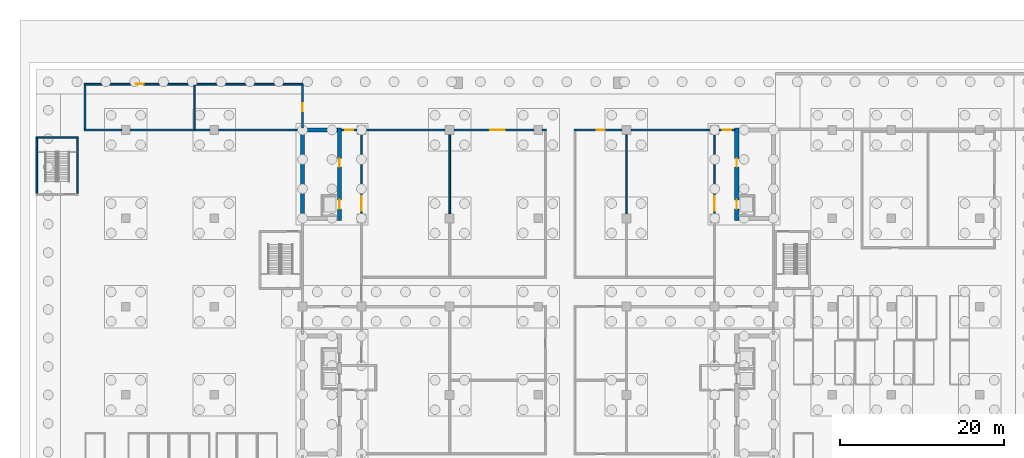
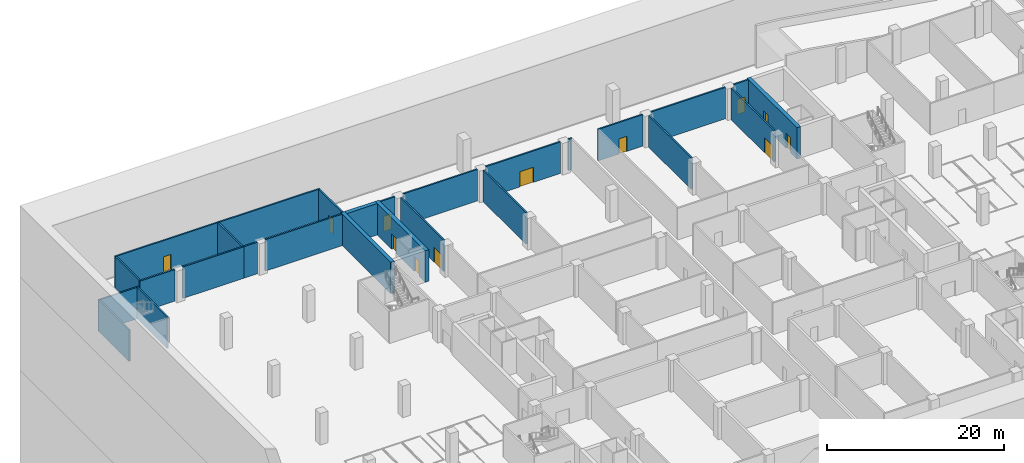
# One storey, part 11 of 18: 27 walls, 12 doors, 12 openings.
"""IFC4 building model written with IfcOpenShell, lengths in metres."""

from ifc_helpers import new_model, si_unit, direction, frame, frame_2d, origin, place, context, subcontext, project, spatial, rectangle, extrude, material, layer, layer_set, type_object, element, fill, save


model = new_model("IFC4")

# Units and contexts
model_context = context("Model", 3, precision=1e-05, world=origin(), true_north=direction((0.0, 1.0)))
body_context = subcontext(model_context, "Body", "Model", "MODEL_VIEW")
ifc_project = project(units=[si_unit("LENGTHUNIT", "METRE"), si_unit("AREAUNIT", "SQUARE_METRE"), si_unit("VOLUMEUNIT", "CUBIC_METRE"), si_unit("PLANEANGLEUNIT", "RADIAN"), si_unit("MASSUNIT", "GRAM", prefix="KILO")], contexts=[model_context])

# Site, building, storey
site_placement = place(None, origin())
site = spatial("IfcSite", under=ifc_project, at=site_placement, CompositionType="ELEMENT")
building_placement = place(site_placement, origin())
building = spatial("IfcBuilding", under=site, at=building_placement, Name="Basin Gate Institute", CompositionType="ELEMENT")
storey_placement = place(building_placement, frame((0.0, 0.0, -9.60009765625)))
storey = spatial("IfcBuildingStorey", under=building, at=storey_placement, Name="B2", CompositionType="ELEMENT", Elevation=-9.60009765625)

# Wall, opening, door
ifc_material_1 = material(Name="Concrete 50 MPa", Category="concrete")
ifc_layer_1 = layer(ifc_material_1, 0.199951171875)
ifc_layer_set_1 = layer_set([ifc_layer_1], Name="Concrete 50 MPa")
wall_type_1 = type_object("IfcWallType", Name="Basement bearing wall W66 REI 180", PredefinedType="SOLIDWALL", material=ifc_layer_set_1)
wall_1_placement = place(storey_placement, frame((61.199951171875, 100.14990234375, 0.0), z_axis=(0.0, 0.0, 1.0), x_axis=(0.0, 1.0, 0.0)))
wall_1 = element("IfcWall", 1, at=wall_1_placement, inside=storey, type_object=wall_type_1, material=ifc_layer_set_1, Name="Data and Telecom Room bearing wall", PredefinedType="SOLIDWALL", context=body_context, shape_type="SweptSolid", body=[
    extrude(rectangle(XDim=5.25, YDim=0.199951171875, at=frame_2d((2.625, 0.0))), origin(), (0.0, 0.0, 1.0), 4.35009765625),
])
opening_1_placement = place(wall_1_placement, frame((2.050048828125, 0.0, 0.0)))
opening_1 = element("IfcOpeningElement", 2, at=opening_1_placement, cuts=wall_1, Name="Opening DB215", PredefinedType="OPENING", context=body_context, shape_type="SweptSolid", body=[
    extrude(rectangle(XDim=1.0, YDim=2.10009765625, at=frame_2d((0.5, 1.050048828125))), frame((0.0, 0.10986328125, 0.0), z_axis=(0.0, -1.0, 0.0), x_axis=(1.0, 0.0, 0.0)), (0.0, 0.0, 1.0), 0.219970703125),
])
ifc_material_2 = material(Name="Steel door set", Category="steel")
door_type_1 = type_object("IfcDoorType", Name="Fire door FD120 1000x2100", OperationType="NOTDEFINED", PredefinedType="DOOR", material=ifc_material_2)
door_1_placement = place(opening_1_placement, frame((1.0, 0.0, 0.0), z_axis=(0.0, 0.0, 1.0), x_axis=(-1.0, 0.0, 0.0)))
door_1 = element("IfcDoor", 3, at=door_1_placement, inside=storey, type_object=door_type_1, material=ifc_material_2, Name="Door DB215 Data and Telecom Room", OperationType="SINGLE_SWING_RIGHT", OverallHeight=2.10009765625, OverallWidth=1.0, PredefinedType="DOOR", context=body_context, shape_type="SweptSolid", body=[
    extrude(rectangle(XDim=1.0, YDim=2.10009765625, at=frame_2d((0.5, 1.050048828125))), frame((0.0, 0.02490234375, 0.0), z_axis=(0.0, -1.0, 0.0), x_axis=(1.0, 0.0, 0.0)), (0.0, 0.0, 1.0), 0.050048828125),
])
fill(opening_1, door_1)

# Walls
ifc_material_3 = material(Name="Blockwork", Category="masonry")
ifc_layer_2 = layer(ifc_material_3, 0.199951171875)
ifc_layer_set_2 = layer_set([ifc_layer_2], Name="Basement fire partition EI 120")
wall_type_2 = type_object("IfcWallType", Name="Basement fire partition EI 120", PredefinedType="PARTITIONING", material=ifc_layer_set_2)
wall_2_placement = place(storey_placement, frame((34.5, 99.89990234375, 0.0), z_axis=(0.0, 0.0, 1.0), x_axis=(1.0, 0.0, 0.0)))
element("IfcWall", 4, at=wall_2_placement, inside=storey, type_object=wall_type_2, material=ifc_layer_set_2, Name="Main Electrical Room fire-resisting wall", PredefinedType="PARTITIONING", context=body_context, shape_type="SweptSolid", body=[
    extrude(rectangle(XDim=4.574951171875, YDim=0.199951171875, at=frame_2d((2.28759765625, 0.0))), origin(), (0.0, 0.0, 1.0), 4.35009765625),
])
wall_3_placement = place(storey_placement, frame((40.125, 99.89990234375, 0.0), z_axis=(0.0, 0.0, 1.0), x_axis=(1.0, 0.0, 0.0)))
element("IfcWall", 5, at=wall_3_placement, inside=storey, type_object=wall_type_2, material=ifc_layer_set_2, Name="Main Electrical Room fire-resisting wall", PredefinedType="PARTITIONING", context=body_context, shape_type="SweptSolid", body=[
    extrude(rectangle(XDim=7.97509765625, YDim=0.199951171875, at=frame_2d((3.987548828125, 0.0))), origin(), (0.0, 0.0, 1.0), 4.35009765625),
])

# Wall, opening, door
wall_4_placement = place(storey_placement, frame((79.75, 99.89990234375, 0.0), z_axis=(0.0, 0.0, 1.0), x_axis=(1.0, 0.0, 0.0)))
wall_4 = element("IfcWall", 6, at=wall_4_placement, inside=storey, type_object=wall_type_2, material=ifc_layer_set_2, Name="Pure Water Plant fire-resisting wall", PredefinedType="PARTITIONING", context=body_context, shape_type="SweptSolid", body=[
    extrude(rectangle(XDim=9.72509765625, YDim=0.199951171875, at=frame_2d((4.862548828125, 0.0))), origin(), (0.0, 0.0, 1.0), 4.35009765625),
])
opening_2_placement = place(wall_4_placement, frame((4.39990234375, 0.0, 0.0)))
opening_2 = element("IfcOpeningElement", 7, at=opening_2_placement, cuts=wall_4, Name="Opening DB209", PredefinedType="OPENING", context=body_context, shape_type="SweptSolid", body=[
    extrude(rectangle(XDim=1.800048828125, YDim=2.10009765625, at=frame_2d((0.89990234375, 1.050048828125))), frame((0.0, 0.10986328125, 0.0), z_axis=(0.0, -1.0, 0.0), x_axis=(1.0, 0.0, 0.0)), (0.0, 0.0, 1.0), 0.219970703125),
])
ifc_material_4 = material(Name="Steel door set", Category="steel")
door_type_2 = type_object("IfcDoorType", Name="Double fire door FD120 1800x2100", OperationType="DOUBLE_DOOR_SINGLE_SWING", PredefinedType="DOOR", material=ifc_material_4)
door_2_placement = place(opening_2_placement, frame((1.800048828125, 0.0, 0.0), z_axis=(0.0, 0.0, 1.0), x_axis=(-1.0, 0.0, 0.0)))
door_2 = element("IfcDoor", 8, at=door_2_placement, inside=storey, type_object=door_type_2, material=ifc_material_4, Name="Door DB209 Pure Water Plant", OperationType="DOUBLE_DOOR_SINGLE_SWING", OverallHeight=2.10009765625, OverallWidth=1.800048828125, PredefinedType="DOOR", context=body_context, shape_type="SweptSolid", body=[
    extrude(rectangle(XDim=1.800048828125, YDim=2.10009765625, at=frame_2d((0.89990234375, 1.050048828125))), frame((0.0, 0.02490234375, 0.0), z_axis=(0.0, -1.0, 0.0), x_axis=(1.0, 0.0, 0.0)), (0.0, 0.0, 1.0), 0.050048828125),
])
fill(opening_2, door_2)

# Wall
wall_5_placement = place(storey_placement, frame((90.52490234375, 99.89990234375, 0.0), z_axis=(0.0, 0.0, 1.0), x_axis=(1.0, 0.0, 0.0)))
element("IfcWall", 9, at=wall_5_placement, inside=storey, type_object=wall_type_2, material=ifc_layer_set_2, Name="Pure Water Plant fire-resisting wall", PredefinedType="PARTITIONING", context=body_context, shape_type="SweptSolid", body=[
    extrude(rectangle(XDim=0.47509765625, YDim=0.199951171875, at=frame_2d((0.237548828125, 0.0))), origin(), (0.0, 0.0, 1.0), 4.35009765625),
])

# Wall, opening, door
wall_6_placement = place(storey_placement, frame((94.39990234375, 99.89990234375, 0.0), z_axis=(0.0, 0.0, 1.0), x_axis=(1.0, 0.0, 0.0)))
wall_6 = element("IfcWall", 10, at=wall_6_placement, inside=storey, type_object=wall_type_2, material=ifc_layer_set_2, Name="Liquid Nitrogen Plant fire-resisting wall", PredefinedType="PARTITIONING", context=body_context, shape_type="SweptSolid", body=[
    extrude(rectangle(XDim=5.85009765625, YDim=0.199951171875, at=frame_2d((2.925048828125, 0.0))), origin(), (0.0, 0.0, 1.0), 4.35009765625),
])
opening_3_placement = place(wall_6_placement, frame((2.75, 0.0, 0.0)))
opening_3 = element("IfcOpeningElement", 11, at=opening_3_placement, cuts=wall_6, Name="Opening DB210", PredefinedType="OPENING", context=body_context, shape_type="SweptSolid", body=[
    extrude(rectangle(XDim=1.0, YDim=2.10009765625, at=frame_2d((0.5, 1.050048828125))), frame((0.0, 0.10986328125, 0.0), z_axis=(0.0, -1.0, 0.0), x_axis=(1.0, 0.0, 0.0)), (0.0, 0.0, 1.0), 0.219970703125),
])
door_3_placement = place(opening_3_placement, origin())
door_3 = element("IfcDoor", 12, at=door_3_placement, inside=storey, type_object=door_type_1, material=ifc_material_2, Name="Door DB210 Liquid Nitrogen Plant", OperationType="SINGLE_SWING_RIGHT", OverallHeight=2.10009765625, OverallWidth=1.0, PredefinedType="DOOR", context=body_context, shape_type="SweptSolid", body=[
    extrude(rectangle(XDim=1.0, YDim=2.10009765625, at=frame_2d((0.5, 1.050048828125))), frame((0.0, 0.02490234375, 0.0), z_axis=(0.0, -1.0, 0.0), x_axis=(1.0, 0.0, 0.0)), (0.0, 0.0, 1.0), 0.050048828125),
])
fill(opening_3, door_3)

# Wall
wall_7_placement = place(storey_placement, frame((101.35009765625, 99.89990234375, 0.0), z_axis=(0.0, 0.0, 1.0), x_axis=(1.0, 0.0, 0.0)))
element("IfcWall", 13, at=wall_7_placement, inside=storey, type_object=wall_type_2, material=ifc_layer_set_2, Name="Archive B2 fire-resisting wall", PredefinedType="PARTITIONING", context=body_context, shape_type="SweptSolid", body=[
    extrude(rectangle(XDim=9.699951171875, YDim=0.199951171875, at=frame_2d((4.85009765625, 0.0))), origin(), (0.0, 0.0, 1.0), 4.35009765625),
])

# Wall, opening, door
wall_8_placement = place(storey_placement, frame((34.5, 105.5, 0.0), z_axis=(0.0, 0.0, 1.0), x_axis=(1.0, 0.0, 0.0)))
wall_8 = element("IfcWall", 14, at=wall_8_placement, inside=storey, type_object=wall_type_2, material=ifc_layer_set_2, Name="Main Electrical Room fire-resisting wall", PredefinedType="PARTITIONING", context=body_context, shape_type="SweptSolid", body=[
    extrude(rectangle(XDim=13.60009765625, YDim=0.199951171875, at=frame_2d((6.800048828125, 0.0))), origin(), (0.0, 0.0, 1.0), 4.35009765625),
])
opening_4_placement = place(wall_8_placement, frame((6.300048828125, 0.0, 0.0)))
opening_4 = element("IfcOpeningElement", 15, at=opening_4_placement, cuts=wall_8, Name="Opening DB214", PredefinedType="OPENING", context=body_context, shape_type="SweptSolid", body=[
    extrude(rectangle(XDim=1.0, YDim=2.10009765625, at=frame_2d((0.5, 1.050048828125))), frame((0.0, 0.10986328125, 0.0), z_axis=(0.0, -1.0, 0.0), x_axis=(1.0, 0.0, 0.0)), (0.0, 0.0, 1.0), 0.219970703125),
])
door_4_placement = place(opening_4_placement, origin())
door_4 = element("IfcDoor", 16, at=door_4_placement, inside=storey, type_object=door_type_1, material=ifc_material_2, Name="Door DB214 Main Electrical Room", OperationType="SINGLE_SWING_LEFT", OverallHeight=2.10009765625, OverallWidth=1.0, PredefinedType="DOOR", context=body_context, shape_type="SweptSolid", body=[
    extrude(rectangle(XDim=1.0, YDim=2.10009765625, at=frame_2d((0.5, 1.050048828125))), frame((0.0, 0.02490234375, 0.0), z_axis=(0.0, -1.0, 0.0), x_axis=(1.0, 0.0, 0.0)), (0.0, 0.0, 1.0), 0.050048828125),
])
fill(opening_4, door_4)

# Walls
for number, where, z_axis, x_axis, name in (
    (17, (34.60009765625, 100.0, 0.0), (0.0, 0.0, 1.0), (0.0, 1.0, 0.0), "Main Electrical Room fire-resisting wall"),
    (18, (48.0, 100.0, 0.0), (0.0, 0.0, 1.0), (0.0, 1.0, 0.0), "Main Electrical Room fire-resisting wall"),
):
    element("IfcWall", number, at=place(storey_placement, frame(where, z_axis=z_axis, x_axis=x_axis)), inside=storey, type_object=wall_type_2, material=ifc_layer_set_2, Name=name, PredefinedType="PARTITIONING", context=body_context, shape_type="SweptSolid", body=[
        extrude(rectangle(XDim=5.39990234375, YDim=0.199951171875, at=frame_2d((2.699951171875, 0.0))), origin(), (0.0, 0.0, 1.0), 4.35009765625),
    ])
for number, where, z_axis, x_axis, name in (
    (19, (79.199951171875, 89.64990234375, 0.0), (0.0, 0.0, 1.0), (0.0, 1.0, 0.0), "Pure Water Plant fire-resisting wall"),
    (20, (100.800048828125, 89.64990234375, 0.0), (0.0, 0.0, 1.0), (0.0, 1.0, 0.0), "Liquid Nitrogen Plant fire-resisting wall"),
):
    element("IfcWall", number, at=place(storey_placement, frame(where, z_axis=z_axis, x_axis=x_axis)), inside=storey, type_object=wall_type_2, material=ifc_layer_set_2, Name=name, PredefinedType="PARTITIONING", context=body_context, shape_type="SweptSolid", body=[
        extrude(rectangle(XDim=9.7001953125, YDim=0.199951171875, at=frame_2d((4.85009765625, 0.0))), origin(), (0.0, 0.0, 1.0), 4.35009765625),
    ])

# Wall, opening, door
wall_9_placement = place(storey_placement, frame((111.60009765625, 89.64990234375, 0.0), z_axis=(0.0, 0.0, 1.0), x_axis=(0.0, 1.0, 0.0)))
wall_9 = element("IfcWall", 21, at=wall_9_placement, inside=storey, type_object=wall_type_2, material=ifc_layer_set_2, Name="Archive B2 fire-resisting wall", PredefinedType="PARTITIONING", context=body_context, shape_type="SweptSolid", body=[
    extrude(rectangle(XDim=9.7001953125, YDim=0.199951171875, at=frame_2d((4.85009765625, 0.0))), origin(), (0.0, 0.0, 1.0), 4.35009765625),
])
opening_5_placement = place(wall_9_placement, frame((0.35009765625, 0.0, 0.0)))
opening_5 = element("IfcOpeningElement", 22, at=opening_5_placement, cuts=wall_9, Name="Opening DB221", PredefinedType="OPENING", context=body_context, shape_type="SweptSolid", body=[
    extrude(rectangle(XDim=1.800048828125, YDim=2.10009765625, at=frame_2d((0.89990234375, 1.050048828125))), frame((0.0, 0.10986328125, 0.0), z_axis=(0.0, -1.0, 0.0), x_axis=(1.0, 0.0, 0.0)), (0.0, 0.0, 1.0), 0.219970703125),
])
door_5_placement = place(opening_5_placement, origin())
door_5 = element("IfcDoor", 23, at=door_5_placement, inside=storey, type_object=door_type_2, material=ifc_material_4, Name="Door DB221 Archive B2", OperationType="DOUBLE_DOOR_SINGLE_SWING", OverallHeight=2.10009765625, OverallWidth=1.800048828125, PredefinedType="DOOR", context=body_context, shape_type="SweptSolid", body=[
    extrude(rectangle(XDim=1.800048828125, YDim=2.10009765625, at=frame_2d((0.89990234375, 1.050048828125))), frame((0.0, 0.02490234375, 0.0), z_axis=(0.0, -1.0, 0.0), x_axis=(1.0, 0.0, 0.0)), (0.0, 0.0, 1.0), 0.050048828125),
])
fill(opening_5, door_5)

# Walls
ifc_material_5 = material(Name="Blockwork", Category="masonry")
ifc_layer_3 = layer(ifc_material_5, 0.199951171875)
ifc_layer_set_3 = layer_set([ifc_layer_3], Name="Basement fire partition EI 60")
wall_type_3 = type_object("IfcWallType", Name="Basement fire partition EI 60", PredefinedType="PARTITIONING", material=ifc_layer_set_3)
wall_10_placement = place(storey_placement, frame((48.10009765625, 99.89990234375, 0.0), z_axis=(0.0, 0.0, 1.0), x_axis=(1.0, 0.0, 0.0)))
element("IfcWall", 24, at=wall_10_placement, inside=storey, type_object=wall_type_3, material=ifc_layer_set_3, Name="Data and Telecom Room fire-resisting wall", PredefinedType="PARTITIONING", context=body_context, shape_type="SweptSolid", body=[
    extrude(rectangle(XDim=1.77490234375, YDim=0.199951171875, at=frame_2d((0.887451171875, 0.0))), origin(), (0.0, 0.0, 1.0), 4.35009765625),
])
wall_11_placement = place(storey_placement, frame((50.925048828125, 99.89990234375, 0.0), z_axis=(0.0, 0.0, 1.0), x_axis=(1.0, 0.0, 0.0)))
element("IfcWall", 25, at=wall_11_placement, inside=storey, type_object=wall_type_3, material=ifc_layer_set_3, Name="Data and Telecom Room fire-resisting wall", PredefinedType="PARTITIONING", context=body_context, shape_type="SweptSolid", body=[
    extrude(rectangle(XDim=10.02490234375, YDim=0.199951171875, at=frame_2d((5.012451171875, 0.0))), origin(), (0.0, 0.0, 1.0), 4.35009765625),
])

# Wall, opening, door
wall_12_placement = place(storey_placement, frame((65.949951171875, 99.89990234375, 0.0), z_axis=(0.0, 0.0, 1.0), x_axis=(1.0, 0.0, 0.0)))
wall_12 = element("IfcWall", 26, at=wall_12_placement, inside=storey, type_object=wall_type_3, material=ifc_layer_set_3, Name="Service Corridor B2 West fire-resisting wall", PredefinedType="PARTITIONING", context=body_context, shape_type="SweptSolid", body=[
    extrude(rectangle(XDim=1.900146484375, YDim=0.199951171875, at=frame_2d((0.9501953125, 0.0))), origin(), (0.0, 0.0, 1.0), 4.35009765625),
])
opening_6_placement = place(wall_12_placement, frame((0.449951171875, 0.0, 0.0)))
opening_6 = element("IfcOpeningElement", 27, at=opening_6_placement, cuts=wall_12, Name="Opening DB224", PredefinedType="OPENING", context=body_context, shape_type="SweptSolid", body=[
    extrude(rectangle(XDim=1.0, YDim=2.10009765625, at=frame_2d((0.5, 1.050048828125))), frame((0.0, 0.10986328125, 0.0), z_axis=(0.0, -1.0, 0.0), x_axis=(1.0, 0.0, 0.0)), (0.0, 0.0, 1.0), 0.219970703125),
])
ifc_material_6 = material(Name="Steel door set", Category="steel")
door_type_3 = type_object("IfcDoorType", Name="Fire door FD60 1000x2100", OperationType="NOTDEFINED", PredefinedType="DOOR", material=ifc_material_6)
door_6_placement = place(opening_6_placement, origin())
door_6 = element("IfcDoor", 28, at=door_6_placement, inside=storey, type_object=door_type_3, material=ifc_material_6, Name="Door DB224 Service Corridor B2 West", OperationType="SINGLE_SWING_LEFT", OverallHeight=2.10009765625, OverallWidth=1.0, PredefinedType="DOOR", context=body_context, shape_type="SweptSolid", body=[
    extrude(rectangle(XDim=1.0, YDim=2.10009765625, at=frame_2d((0.5, 1.050048828125))), frame((0.0, 0.02490234375, 0.0), z_axis=(0.0, -1.0, 0.0), x_axis=(1.0, 0.0, 0.0)), (0.0, 0.0, 1.0), 0.050048828125),
])
fill(opening_6, door_6)

# Wall
wall_13_placement = place(storey_placement, frame((68.949951171875, 99.89990234375, 0.0), z_axis=(0.0, 0.0, 1.0), x_axis=(1.0, 0.0, 0.0)))
element("IfcWall", 29, at=wall_13_placement, inside=storey, type_object=wall_type_3, material=ifc_layer_set_3, Name="Vibration-isolated Instrument Hall 3 fire-resisting wall", PredefinedType="PARTITIONING", context=body_context, shape_type="SweptSolid", body=[
    extrude(rectangle(XDim=9.699951171875, YDim=0.199951171875, at=frame_2d((4.85009765625, 0.0))), origin(), (0.0, 0.0, 1.0), 4.35009765625),
])

# Wall, opening, door
wall_14_placement = place(storey_placement, frame((112.14990234375, 99.89990234375, 0.0), z_axis=(0.0, 0.0, 1.0), x_axis=(1.0, 0.0, 0.0)))
wall_14 = element("IfcWall", 30, at=wall_14_placement, inside=storey, type_object=wall_type_3, material=ifc_layer_set_3, Name="Service Corridor B2 East fire-resisting wall", PredefinedType="PARTITIONING", context=body_context, shape_type="SweptSolid", body=[
    extrude(rectangle(XDim=1.900146484375, YDim=0.199951171875, at=frame_2d((0.9501953125, 0.0))), origin(), (0.0, 0.0, 1.0), 4.35009765625),
])
opening_7_placement = place(wall_14_placement, frame((0.449951171875, 0.0, 0.0)))
opening_7 = element("IfcOpeningElement", 31, at=opening_7_placement, cuts=wall_14, Name="Opening DB230", PredefinedType="OPENING", context=body_context, shape_type="SweptSolid", body=[
    extrude(rectangle(XDim=1.0, YDim=2.10009765625, at=frame_2d((0.5, 1.050048828125))), frame((0.0, 0.10986328125, 0.0), z_axis=(0.0, -1.0, 0.0), x_axis=(1.0, 0.0, 0.0)), (0.0, 0.0, 1.0), 0.219970703125),
])
door_7_placement = place(opening_7_placement, origin())
door_7 = element("IfcDoor", 32, at=door_7_placement, inside=storey, type_object=door_type_3, material=ifc_material_6, Name="Door DB230 Service Corridor B2 East", OperationType="SINGLE_SWING_RIGHT", OverallHeight=2.10009765625, OverallWidth=1.0, PredefinedType="DOOR", context=body_context, shape_type="SweptSolid", body=[
    extrude(rectangle(XDim=1.0, YDim=2.10009765625, at=frame_2d((0.5, 1.050048828125))), frame((0.0, 0.02490234375, 0.0), z_axis=(0.0, -1.0, 0.0), x_axis=(1.0, 0.0, 0.0)), (0.0, 0.0, 1.0), 0.050048828125),
])
fill(opening_7, door_7)

# Wall
wall_15_placement = place(storey_placement, frame((48.10009765625, 105.5, 0.0), z_axis=(0.0, 0.0, 1.0), x_axis=(1.0, 0.0, 0.0)))
element("IfcWall", 33, at=wall_15_placement, inside=storey, type_object=wall_type_3, material=ifc_layer_set_3, Name="Data and Telecom Room fire-resisting wall", PredefinedType="PARTITIONING", context=body_context, shape_type="SweptSolid", body=[
    extrude(rectangle(XDim=13.199951171875, YDim=0.199951171875, at=frame_2d((6.60009765625, 0.0))), origin(), (0.0, 0.0, 1.0), 4.35009765625),
])

# Wall, opening, door
wall_16_placement = place(storey_placement, frame((68.39990234375, 89.64990234375, 0.0), z_axis=(0.0, 0.0, 1.0), x_axis=(0.0, 1.0, 0.0)))
wall_16 = element("IfcWall", 34, at=wall_16_placement, inside=storey, type_object=wall_type_3, material=ifc_layer_set_3, Name="Vibration-isolated Instrument Hall 3 fire-resisting wall", PredefinedType="PARTITIONING", context=body_context, shape_type="SweptSolid", body=[
    extrude(rectangle(XDim=9.7001953125, YDim=0.199951171875, at=frame_2d((4.85009765625, 0.0))), origin(), (0.0, 0.0, 1.0), 4.35009765625),
])
opening_8_placement = place(wall_16_placement, frame((0.35009765625, 0.0, 0.0)))
opening_8 = element("IfcOpeningElement", 35, at=opening_8_placement, cuts=wall_16, Name="Opening DB220", PredefinedType="OPENING", context=body_context, shape_type="SweptSolid", body=[
    extrude(rectangle(XDim=1.800048828125, YDim=2.10009765625, at=frame_2d((0.89990234375, 1.050048828125))), frame((0.0, 0.10986328125, 0.0), z_axis=(0.0, -1.0, 0.0), x_axis=(1.0, 0.0, 0.0)), (0.0, 0.0, 1.0), 0.219970703125),
])
ifc_material_7 = material(Name="Steel door set", Category="steel")
door_type_4 = type_object("IfcDoorType", Name="Double fire door FD60 1800x2100", OperationType="DOUBLE_DOOR_SINGLE_SWING", PredefinedType="DOOR", material=ifc_material_7)
door_8_placement = place(opening_8_placement, origin())
door_8 = element("IfcDoor", 36, at=door_8_placement, inside=storey, type_object=door_type_4, material=ifc_material_7, Name="Door DB220 Vibration-isolated Instrument Hall 3", OperationType="DOUBLE_DOOR_SINGLE_SWING", OverallHeight=2.10009765625, OverallWidth=1.800048828125, PredefinedType="DOOR", context=body_context, shape_type="SweptSolid", body=[
    extrude(rectangle(XDim=1.800048828125, YDim=2.10009765625, at=frame_2d((0.89990234375, 1.050048828125))), frame((0.0, 0.02490234375, 0.0), z_axis=(0.0, -1.0, 0.0), x_axis=(1.0, 0.0, 0.0)), (0.0, 0.0, 1.0), 0.050048828125),
])
fill(opening_8, door_8)

# Walls
ifc_material_8 = material(Name="Concrete 35 MPa", Category="concrete")
ifc_layer_4 = layer(ifc_material_8, 0.199951171875)
ifc_layer_set_4 = layer_set([ifc_layer_4], Name="Concrete 35 MPa")
wall_type_4 = type_object("IfcWallType", Name="Basement stair enclosure wall W67 REI 120", PredefinedType="SOLIDWALL", material=ifc_layer_set_4)
wall_17_placement = place(storey_placement, frame((28.60009765625, 99.0, 0.0), z_axis=(0.0, 0.0, 1.0), x_axis=(1.0, 0.0, 0.0)))
element("IfcWall", 37, at=wall_17_placement, inside=storey, type_object=wall_type_4, material=ifc_layer_set_4, Name="Stair Enclosure BS5 B2 enclosure wall", PredefinedType="SOLIDWALL", context=body_context, shape_type="SweptSolid", body=[
    extrude(rectangle(XDim=5.199951171875, YDim=0.199951171875, at=frame_2d((2.60009765625, 0.0))), origin(), (0.0, 0.0, 1.0), 4.35009765625),
])
for number, where, z_axis, x_axis, name in (
    (38, (28.699951171875, 92.10009765625, 0.0), (0.0, 0.0, 1.0), (0.0, 1.0, 0.0), "Stair Enclosure BS5 B2 enclosure wall"),
    (39, (33.699951171875, 92.10009765625, 0.0), (0.0, 0.0, 1.0), (0.0, 1.0, 0.0), "Stair Enclosure BS5 B2 enclosure wall"),
):
    element("IfcWall", number, at=place(storey_placement, frame(where, z_axis=z_axis, x_axis=x_axis)), inside=storey, type_object=wall_type_4, material=ifc_layer_set_4, Name=name, PredefinedType="SOLIDWALL", context=body_context, shape_type="SweptSolid", body=[
        extrude(rectangle(XDim=6.7998046875, YDim=0.199951171875, at=frame_2d((3.39990234375, 0.0))), origin(), (0.0, 0.0, 1.0), 4.35009765625),
    ])
ifc_material_9 = material(Name="Concrete 60 MPa", Category="concrete")
ifc_layer_5 = layer(ifc_material_9, 0.5)
ifc_layer_set_5 = layer_set([ifc_layer_5], Name="Concrete 60 MPa")
wall_type_5 = type_object("IfcWallType", Name="Wall SW1 R180", PredefinedType="SHEAR", material=ifc_layer_set_5)
wall_18_placement = place(storey_placement, frame((61.199951171875, 88.85009765625, 0.0), z_axis=(0.0, 0.0, 1.0), x_axis=(0.0, 1.0, 0.0)))
element("IfcWall", 40, at=wall_18_placement, inside=storey, type_object=wall_type_5, material=ifc_layer_set_5, Name="WALL/B2/WN/L", PredefinedType="SHEAR", context=body_context, shape_type="SweptSolid", body=[
    extrude(rectangle(XDim=11.2998046875, YDim=0.5, at=frame_2d((5.64990234375, 0.0))), origin(), (0.0, 0.0, 1.0), 4.35009765625),
])

# Wall, openings, doors
wall_19_placement = place(storey_placement, frame((65.699951171875, 88.85009765625, 0.0), z_axis=(0.0, 0.0, 1.0), x_axis=(0.0, 1.0, 0.0)))
wall_19 = element("IfcWall", 41, at=wall_19_placement, inside=storey, type_object=wall_type_5, material=ifc_layer_set_5, Name="WALL/B2/WN/C", PredefinedType="SHEAR", context=body_context, shape_type="SweptSolid", body=[
    extrude(rectangle(XDim=11.2998046875, YDim=0.5, at=frame_2d((5.64990234375, 0.0))), origin(), (0.0, 0.0, 1.0), 4.35009765625),
])
opening_9_placement = place(wall_19_placement, frame((1.39990234375, 0.0, 0.0)))
opening_9 = element("IfcOpeningElement", 42, at=opening_9_placement, cuts=wall_19, Name="Opening LD053", PredefinedType="OPENING", context=body_context, shape_type="SweptSolid", body=[
    extrude(rectangle(XDim=1.10009765625, YDim=2.10009765625, at=frame_2d((0.550048828125, 1.050048828125))), frame((0.0, 0.260009765625, 0.0), z_axis=(0.0, -1.0, 0.0), x_axis=(1.0, 0.0, 0.0)), (0.0, 0.0, 1.0), 0.52001953125),
])
opening_10_placement = place(wall_19_placement, frame((6.550048828125, 0.0, 0.0)))
opening_10 = element("IfcOpeningElement", 43, at=opening_10_placement, cuts=wall_19, Name="Opening DB237", PredefinedType="OPENING", context=body_context, shape_type="SweptSolid", body=[
    extrude(rectangle(XDim=1.0, YDim=2.10009765625, at=frame_2d((0.5, 1.050048828125))), frame((0.0, 0.260009765625, 0.0), z_axis=(0.0, -1.0, 0.0), x_axis=(1.0, 0.0, 0.0)), (0.0, 0.0, 1.0), 0.52001953125),
])
ifc_material_10 = material(Name="Stainless steel", Category="steel")
door_type_5 = type_object("IfcDoorType", Name="FD60 Lift landing door LD", OperationType="SLIDING_TO_LEFT", PredefinedType="DOOR", material=ifc_material_10)
door_9_placement = place(opening_9_placement, origin())
door_9 = element("IfcDoor", 44, at=door_9_placement, inside=storey, type_object=door_type_5, material=ifc_material_10, Name="Lift landing door LP3 B2", OperationType="SLIDING_TO_LEFT", OverallHeight=2.10009765625, OverallWidth=1.10009765625, PredefinedType="DOOR", context=body_context, shape_type="SweptSolid", body=[
    extrude(rectangle(XDim=1.10009765625, YDim=2.10009765625, at=frame_2d((0.550048828125, 1.050048828125))), frame((0.0, 0.02490234375, 0.0), z_axis=(0.0, -1.0, 0.0), x_axis=(1.0, 0.0, 0.0)), (0.0, 0.0, 1.0), 0.050048828125),
])
fill(opening_9, door_9)
door_10_placement = place(opening_10_placement, origin())
door_10 = element("IfcDoor", 45, at=door_10_placement, inside=storey, type_object=door_type_3, material=ifc_material_6, Name="Door DB237 Mechanical Riser Room B2 WN", OperationType="SINGLE_SWING_LEFT", OverallHeight=2.10009765625, OverallWidth=1.0, PredefinedType="DOOR", context=body_context, shape_type="SweptSolid", body=[
    extrude(rectangle(XDim=1.0, YDim=2.10009765625, at=frame_2d((0.5, 1.050048828125))), frame((0.0, 0.02490234375, 0.0), z_axis=(0.0, -1.0, 0.0), x_axis=(1.0, 0.0, 0.0)), (0.0, 0.0, 1.0), 0.050048828125),
])
fill(opening_10, door_10)

# Wall
wall_20_placement = place(storey_placement, frame((61.449951171875, 99.89990234375, 0.0), z_axis=(0.0, 0.0, 1.0), x_axis=(1.0, 0.0, 0.0)))
element("IfcWall", 46, at=wall_20_placement, inside=storey, type_object=wall_type_5, material=ifc_layer_set_5, Name="WALL/B2/WN/N", PredefinedType="SHEAR", context=body_context, shape_type="SweptSolid", body=[
    extrude(rectangle(XDim=4.0, YDim=0.5, at=frame_2d((2.0, 0.0))), origin(), (0.0, 0.0, 1.0), 4.35009765625),
])

# Wall, openings, doors
wall_21_placement = place(storey_placement, frame((114.300048828125, 88.85009765625, 0.0), z_axis=(0.0, 0.0, 1.0), x_axis=(0.0, 1.0, 0.0)))
wall_21 = element("IfcWall", 47, at=wall_21_placement, inside=storey, type_object=wall_type_5, material=ifc_layer_set_5, Name="WALL/B2/EN/C", PredefinedType="SHEAR", context=body_context, shape_type="SweptSolid", body=[
    extrude(rectangle(XDim=11.2998046875, YDim=0.5, at=frame_2d((5.64990234375, 0.0))), origin(), (0.0, 0.0, 1.0), 4.35009765625),
])
opening_11_placement = place(wall_21_placement, frame((1.39990234375, 0.0, 0.0)))
opening_11 = element("IfcOpeningElement", 48, at=opening_11_placement, cuts=wall_21, Name="Opening LD104", PredefinedType="OPENING", context=body_context, shape_type="SweptSolid", body=[
    extrude(rectangle(XDim=1.10009765625, YDim=2.10009765625, at=frame_2d((0.550048828125, 1.050048828125))), frame((0.0, 0.260009765625, 0.0), z_axis=(0.0, -1.0, 0.0), x_axis=(1.0, 0.0, 0.0)), (0.0, 0.0, 1.0), 0.52001953125),
])
opening_12_placement = place(wall_21_placement, frame((6.550048828125, 0.0, 0.0)))
opening_12 = element("IfcOpeningElement", 49, at=opening_12_placement, cuts=wall_21, Name="Opening DB241", PredefinedType="OPENING", context=body_context, shape_type="SweptSolid", body=[
    extrude(rectangle(XDim=1.0, YDim=2.10009765625, at=frame_2d((0.5, 1.050048828125))), frame((0.0, 0.260009765625, 0.0), z_axis=(0.0, -1.0, 0.0), x_axis=(1.0, 0.0, 0.0)), (0.0, 0.0, 1.0), 0.52001953125),
])
door_11_placement = place(opening_11_placement, origin())
door_11 = element("IfcDoor", 50, at=door_11_placement, inside=storey, type_object=door_type_5, material=ifc_material_10, Name="Lift landing door LP6 B2", OperationType="SLIDING_TO_LEFT", OverallHeight=2.10009765625, OverallWidth=1.10009765625, PredefinedType="DOOR", context=body_context, shape_type="SweptSolid", body=[
    extrude(rectangle(XDim=1.10009765625, YDim=2.10009765625, at=frame_2d((0.550048828125, 1.050048828125))), frame((0.0, 0.02490234375, 0.0), z_axis=(0.0, -1.0, 0.0), x_axis=(1.0, 0.0, 0.0)), (0.0, 0.0, 1.0), 0.050048828125),
])
fill(opening_11, door_11)
door_12_placement = place(opening_12_placement, frame((1.0, 0.0, 0.0), z_axis=(0.0, 0.0, 1.0), x_axis=(-1.0, 0.0, 0.0)))
door_12 = element("IfcDoor", 51, at=door_12_placement, inside=storey, type_object=door_type_3, material=ifc_material_6, Name="Door DB241 Mechanical Riser Room B2 EN", OperationType="SINGLE_SWING_RIGHT", OverallHeight=2.10009765625, OverallWidth=1.0, PredefinedType="DOOR", context=body_context, shape_type="SweptSolid", body=[
    extrude(rectangle(XDim=1.0, YDim=2.10009765625, at=frame_2d((0.5, 1.050048828125))), frame((0.0, 0.02490234375, 0.0), z_axis=(0.0, -1.0, 0.0), x_axis=(1.0, 0.0, 0.0)), (0.0, 0.0, 1.0), 0.050048828125),
])
fill(opening_12, door_12)

save(model, "model.ifc")
